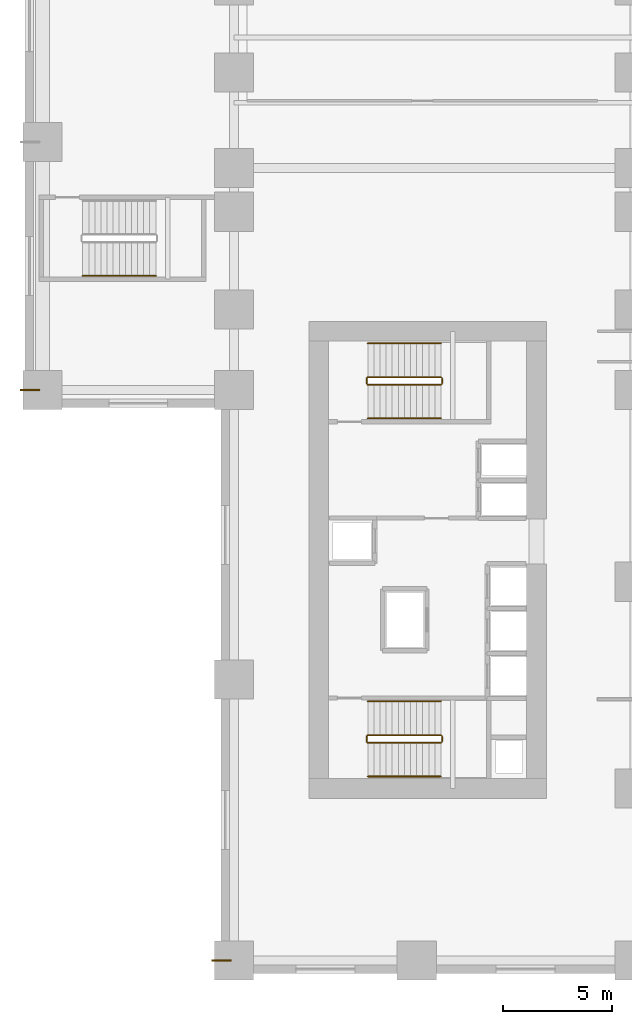
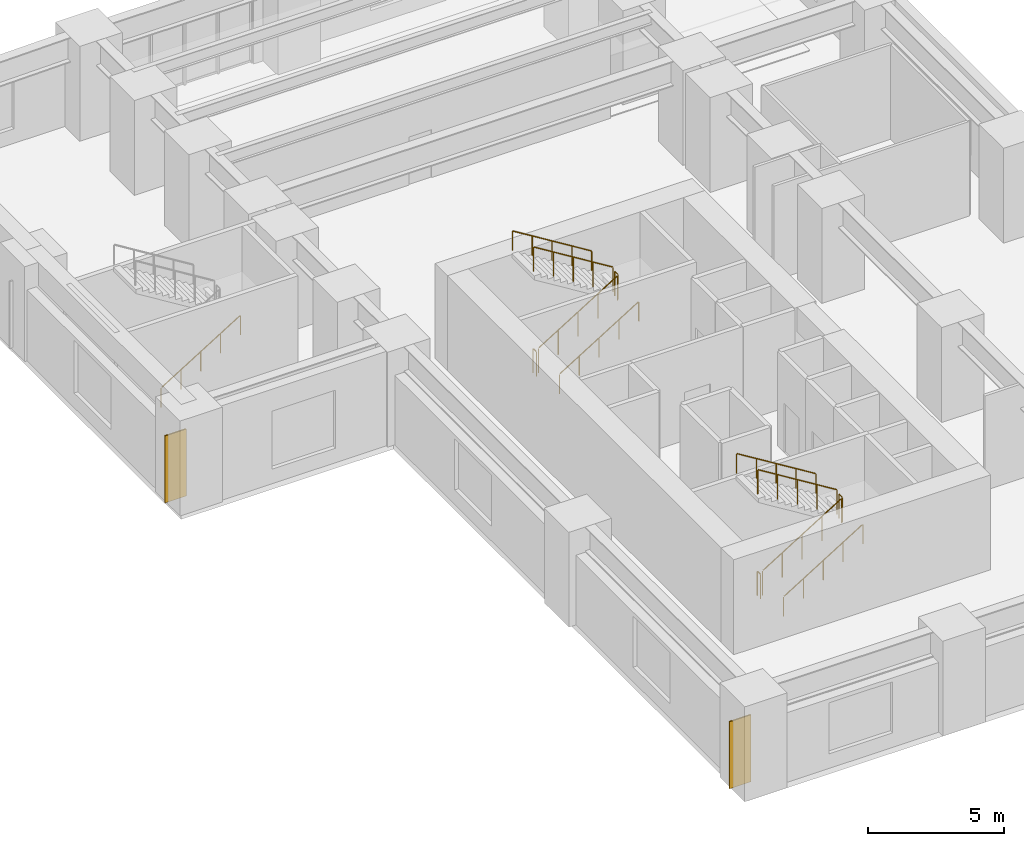
# One storey, part 9 of 11: 13 railings, 2 coverings.
"""IFC4 building model written with IfcOpenShell, lengths in metres."""

import ifcopenshell
import ifcopenshell.guid

model = None  # the IFC model being written
_history = None  # IfcOwnerHistory: only IFC2X3 demands one
_inside = {}  # id of a spatial element -> (the spatial element, [elements in it])
_under = {}  # id of a project, library or spatial element -> (it, [spatial elements below it])
_declared = {}  # id of a project -> (the project, [libraries it declares])
_typed = {}  # id of a type object -> (the type object, [elements of that type])
_made_of = {}  # id of a material, layer set ... -> (it, [elements and type objects made of it])


def new_model(schema):
    """Start an empty IFC model of exactly this schema.

    Asked for "IFC4X3", IfcOpenShell would pick the latest addendum, in which some entities
    have other attributes; the version numbers below select the first issue.
    IFC2X3 requires an IfcOwnerHistory on every rooted entity: one is made here for all.
    """
    global model, _history
    if schema == "IFC4X3":
        model = ifcopenshell.file(schema_version=(4, 3, 0, 0))
    else:
        model = ifcopenshell.file(schema=schema)
    _inside.clear()
    _under.clear()
    _declared.clear()
    _typed.clear()
    _made_of.clear()
    _history = None
    if model.schema == "IFC2X3":
        org = make("IfcOrganization", Name="unknown")
        user = make(
            "IfcPersonAndOrganization",
            ThePerson=make("IfcPerson", FamilyName="unknown"),
            TheOrganization=org,
        )
        app = make(
            "IfcApplication",
            ApplicationDeveloper=org,
            Version="unknown",
            ApplicationFullName="unknown",
            ApplicationIdentifier="unknown",
        )
        _history = make(
            "IfcOwnerHistory",
            OwningUser=user,
            OwningApplication=app,
            ChangeAction="ADDED",
            CreationDate=0,
        )
    return model


def make(cls, **values):
    """One entity of the class cls with the attributes given. An attribute that is None is left unset."""
    return model.create_entity(
        cls, **{name: value for name, value in values.items() if value is not None}
    )


def rooted(cls, **values):
    """An entity with a GlobalId (a new one), such as an element, a storey or a relation."""
    return make(cls, GlobalId=ifcopenshell.guid.new(), OwnerHistory=_history, **values)


def si_unit(unit_type, name, prefix=None):
    """IfcSIUnit, for example si_unit("LENGTHUNIT", "METRE", prefix="MILLI")."""
    return make("IfcSIUnit", UnitType=unit_type, Prefix=prefix, Name=name)


def assignment(units):
    """IfcUnitAssignment: the units of a project."""
    return None if units is None else make("IfcUnitAssignment", Units=units)


def point(xyz):
    """IfcCartesianPoint."""
    return None if xyz is None else make("IfcCartesianPoint", Coordinates=xyz)


def direction(xyz):
    """IfcDirection."""
    return None if xyz is None else make("IfcDirection", DirectionRatios=xyz)


def frame(location, z_axis=None, x_axis=None):
    """IfcAxis2Placement3D, a coordinate frame: its origin and axes. An axis left out is left unset."""
    return make(
        "IfcAxis2Placement3D",
        Location=point(location),
        Axis=direction(z_axis),
        RefDirection=direction(x_axis),
    )


def frame_2d(location, x_axis=None):
    """IfcAxis2Placement2D, a coordinate frame in the plane: its origin and x axis."""
    return make(
        "IfcAxis2Placement2D", Location=point(location), RefDirection=direction(x_axis)
    )


def origin():
    """The frame at (0, 0, 0) with its axes left unset."""
    return frame((0.0, 0.0, 0.0))


def origin_2d():
    """The frame at (0, 0) in the plane with its x axis left unset."""
    return frame_2d((0.0, 0.0))


def place(relative_to, where):
    """IfcLocalPlacement: puts the frame where relative to a parent placement (None: the world)."""
    return make(
        "IfcLocalPlacement", PlacementRelTo=relative_to, RelativePlacement=where
    )


def context(
    kind, dimensions, precision=None, world=None, true_north=None, identifier=None
):
    """IfcGeometricRepresentationContext, for example the 3D "Model" context."""
    return make(
        "IfcGeometricRepresentationContext",
        ContextIdentifier=identifier,
        ContextType=kind,
        CoordinateSpaceDimension=dimensions,
        Precision=precision,
        WorldCoordinateSystem=world,
        TrueNorth=true_north,
    )


def subcontext(parent, identifier, kind, view, scale=None):
    """IfcGeometricRepresentationSubContext, for example "Body" below "Model"."""
    return make(
        "IfcGeometricRepresentationSubContext",
        ContextIdentifier=identifier,
        ContextType=kind,
        ParentContext=parent,
        TargetScale=scale,
        TargetView=view,
    )


def project(units=None, contexts=None):
    """IfcProject with its units and contexts."""
    return rooted(
        "IfcProject",
        Name="project",
        RepresentationContexts=contexts,
        UnitsInContext=assignment(units),
    )


def spatial(cls, under=None, at=None, **own):
    """A site, building, storey or space (cls), placed at a placement, below another one or the project."""
    s = rooted(cls, ObjectPlacement=at, **own)
    if under is not None:
        _under.setdefault(under.id(), (under, []))[1].append(s)
    return s


def profile(cls, at=None, kind="AREA", **sizes):
    """A parametric profile (cls). Its sizes go by their IFC names, for example OverallWidth=200.0."""
    return make(cls, ProfileType=kind, Position=at, **sizes)


def rectangle(**sizes):
    """IfcRectangleProfileDef."""
    return profile("IfcRectangleProfileDef", **sizes)


def circle(**sizes):
    """IfcCircleProfileDef."""
    return profile("IfcCircleProfileDef", **sizes)


def extrude(swept, where, along, depth):
    """IfcExtrudedAreaSolid: the profile swept, set in the frame where, extruded along a direction by depth."""
    return make(
        "IfcExtrudedAreaSolid",
        SweptArea=swept,
        Position=where,
        ExtrudedDirection=direction(along),
        Depth=depth,
    )


def shape(context_of_items, identifier, shape_type, items):
    """IfcShapeRepresentation: the items that make up one representation, for example the "Body"."""
    return make(
        "IfcShapeRepresentation",
        ContextOfItems=context_of_items,
        RepresentationIdentifier=identifier,
        RepresentationType=shape_type,
        Items=items,
    )


def source(mapping_origin, context_of_items, identifier, shape_type, items):
    """IfcRepresentationMap: a shape defined once, which mapped items show again and again."""
    return make(
        "IfcRepresentationMap",
        MappingOrigin=mapping_origin,
        MappedRepresentation=shape(context_of_items, identifier, shape_type, items),
    )


def transform(
    local_origin,
    x_axis=None,
    y_axis=None,
    z_axis=None,
    scale=None,
    scale2=None,
    scale3=None,
    uniform=True,
):
    """IfcCartesianTransformationOperator3D, or its non-uniform kind. x_axis, y_axis, z_axis: its Axis1, 2, 3."""
    if uniform:
        return make(
            "IfcCartesianTransformationOperator3D",
            Axis1=direction(x_axis),
            Axis2=direction(y_axis),
            LocalOrigin=point(local_origin),
            Scale=scale,
            Axis3=direction(z_axis),
        )
    return make(
        "IfcCartesianTransformationOperator3DnonUniform",
        Axis1=direction(x_axis),
        Axis2=direction(y_axis),
        LocalOrigin=point(local_origin),
        Scale=scale,
        Axis3=direction(z_axis),
        Scale2=scale2,
        Scale3=scale3,
    )


def mapped(mapping_source, mapping_target):
    """IfcMappedItem: shows the shape of a source again, moved by a transform."""
    return make(
        "IfcMappedItem", MappingSource=mapping_source, MappingTarget=mapping_target
    )


def material(Name=None, Category=None):
    """IfcMaterial."""
    return make("IfcMaterial", Name=Name, Category=Category)


def layer(
    of_material, thickness, ventilated=None, Name=None, Category=None, Priority=None
):
    """IfcMaterialLayer: one layer of a wall or slab, of a material (None: an air gap)."""
    return make(
        "IfcMaterialLayer",
        Material=of_material,
        LayerThickness=thickness,
        IsVentilated=ventilated,
        Name=Name,
        Category=Category,
        Priority=Priority,
    )


def layer_set(layers, Name=None):
    """IfcMaterialLayerSet."""
    return make("IfcMaterialLayerSet", MaterialLayers=layers, LayerSetName=Name)


def made_of(thing, what):
    """Note that an element or type object is made of a material, layer set ...; save() writes the relation."""
    if what is not None:
        _made_of.setdefault(what.id(), (what, []))[1].append(thing)
    return thing


def type_object(cls, material=None, **own):
    """A type object (cls), such as IfcWallType, which elements share."""
    return made_of(rooted(cls, **own), material)


def element(
    cls,
    number,
    at=None,
    inside=None,
    cuts=None,
    type_object=None,
    material=None,
    context=None,
    identifier="Body",
    shape_type=None,
    held_by="IfcProductDefinitionShape",
    body=None,
    shapes=None,
    **own,
):
    """One element of the class cls, such as IfcWall. Its Tag is "e" and its number.

    at: its placement. inside: the storey or other place that contains it. cuts: it is an
    opening in that element (IfcRelVoidsElement). A single representation is given by context,
    identifier, shape_type and body (its items); several are given by shapes. held_by: the class
    of the entity that holds the representations. save() writes the other relations.
    """
    e = rooted(cls, Tag="e%d" % number, ObjectPlacement=at, **own)
    if body is not None:
        shapes = [shape(context, identifier, shape_type, body)]
    if shapes is not None:
        e.Representation = make(held_by, Representations=shapes)
    if inside is not None:
        _inside.setdefault(inside.id(), (inside, []))[1].append(e)
    if cuts is not None:
        rooted(
            "IfcRelVoidsElement", RelatingBuildingElement=cuts, RelatedOpeningElement=e
        )
    if type_object is not None:
        _typed.setdefault(type_object.id(), (type_object, []))[1].append(e)
    return made_of(e, material)


def aggregate(whole, parts):
    """IfcRelAggregates: a whole, such as a stair, and the parts it consists of."""
    return rooted("IfcRelAggregates", RelatingObject=whole, RelatedObjects=parts)


def save(model, path):
    """Write the relations noted so far, then the file.

    IfcRelAggregates (storeys below a building ...), IfcRelContainedInSpatialStructure (elements
    in a storey), IfcRelDefinesByType, IfcRelAssociatesMaterial and IfcRelDeclares: one each for
    every whole, place, type object, material and project.
    """
    for whole, parts in _under.values():
        aggregate(whole, parts)
    for where, things in _inside.values():
        rooted(
            "IfcRelContainedInSpatialStructure",
            RelatedElements=things,
            RelatingStructure=where,
        )
    for kind, things in _typed.values():
        rooted("IfcRelDefinesByType", RelatedObjects=things, RelatingType=kind)
    for what, things in _made_of.values():
        rooted("IfcRelAssociatesMaterial", RelatedObjects=things, RelatingMaterial=what)
    for by, libraries in _declared.values():
        rooted("IfcRelDeclares", RelatingContext=by, RelatedDefinitions=libraries)
    model.write(path)


model = new_model("IFC4")

# Units and contexts
model_context = context("Model", 3, precision=1e-05, world=origin(), true_north=direction((0.0, 1.0)))
body_context = subcontext(model_context, "Body", "Model", "MODEL_VIEW")
ifc_project = project(units=[si_unit("LENGTHUNIT", "METRE"), si_unit("AREAUNIT", "SQUARE_METRE"), si_unit("VOLUMEUNIT", "CUBIC_METRE"), si_unit("PLANEANGLEUNIT", "RADIAN"), si_unit("MASSUNIT", "GRAM", prefix="KILO")], contexts=[model_context])

# Site, building, storey
site_placement = place(None, origin())
site = spatial("IfcSite", under=ifc_project, at=site_placement, CompositionType="ELEMENT")
building_placement = place(site_placement, origin())
building = spatial("IfcBuilding", under=site, at=building_placement, Name="Kharzan Plaza Tower", CompositionType="ELEMENT")
storey_placement = place(building_placement, frame((0.0, 0.0, 9.0)))
storey = spatial("IfcBuildingStorey", under=building, at=storey_placement, Name="L02", CompositionType="ELEMENT", Elevation=9.0)

# Railings
ifc_material_1 = material(Name="Painted Galvanized Architectural Steel", Category="steel")
ifc_layer_1 = layer(ifc_material_1, 0.074951171875)
ifc_layer_set_1 = layer_set([ifc_layer_1], Name="Painted Galvanized Architectural Steel")
railing_type_1 = type_object("IfcRailingType", Name="RL-GUARD-1120", PredefinedType="BALUSTRADE", material=ifc_layer_set_1)
shared_shape_1 = source(origin(), body_context, "Body", "SweptSolid", [
    extrude(circle(Radius=0.02392578125, at=origin_2d()), frame((0.0224609375, 0.0, 1.10986328125), z_axis=(0.850623216509, 0.0, 0.525775754039), x_axis=(0.0, 1.0, 0.0)), (0.0, 0.0, 1.0), 3.897216796875),
    extrude(circle(Radius=0.02099609375, at=origin_2d()), origin(), (0.0, 0.0, 1.0), 1.072021484375),
    extrude(circle(Radius=0.02099609375, at=origin_2d()), frame((0.840087890625, 0.0, 0.519287109375)), (0.0, 0.0, 1.0), 1.072021484375),
    extrude(circle(Radius=0.02099609375, at=origin_2d()), frame((1.68017578125, 0.0, 1.03857421875)), (0.0, 0.0, 1.0), 1.072021484375),
    extrude(circle(Radius=0.02099609375, at=origin_2d()), frame((2.52001953125, 0.0, 1.5576171875)), (0.0, 0.0, 1.0), 1.072021484375),
    extrude(circle(Radius=0.02099609375, at=origin_2d()), frame((3.360107421875, 0.0, 2.076904296875)), (0.0, 0.0, 1.0), 1.072021484375),
])
for number, where, name in (
    (1, (6.75, 10.60009765625, 0.173095703125), "L02 ST-1 stair guard 1"),
    (2, (6.75, 27.050048828125, 0.173095703125), "L02 ST-2 stair guard 1"),
):
    element("IfcRailing", number, at=place(storey_placement, frame(where)), inside=storey, type_object=railing_type_1, Name=name, PredefinedType="BALUSTRADE", context=body_context, shape_type="MappedRepresentation", body=[
        mapped(shared_shape_1, transform((0.0, 0.0, 0.0), x_axis=(1.0, 0.0, 0.0), y_axis=(0.0, 1.0, 0.0), z_axis=(0.0, 0.0, 1.0))),
    ])
shared_shape_2 = source(origin(), body_context, "Body", "SweptSolid", [
    extrude(circle(Radius=0.02392578125, at=origin_2d()), frame((0.0, 0.0263671875, 1.09619140625), z_axis=(0.0, 1.0, 0.0), x_axis=(-1.0, 0.0, 0.0)), (0.0, 0.0, 1.0), 0.197021484375),
    extrude(circle(Radius=0.02099609375, at=origin_2d()), origin(), (0.0, 0.0, 1.0), 1.072021484375),
    extrude(circle(Radius=0.02099609375, at=origin_2d()), frame((0.0, 0.25, 0.0)), (0.0, 0.0, 1.0), 1.072021484375),
])
for number, where, name in (
    (3, (10.159912109375, 10.64990234375, 2.25), "L02 ST-1 stair guard 2"),
    (4, (6.699951171875, 10.64990234375, 0.0), "L02 ST-1 stair guard 4"),
    (5, (10.159912109375, 27.10009765625, 2.25), "L02 ST-2 stair guard 2"),
    (6, (6.699951171875, 27.10009765625, 0.0), "L02 ST-2 stair guard 4"),
):
    element("IfcRailing", number, at=place(storey_placement, frame(where)), inside=storey, type_object=railing_type_1, Name=name, PredefinedType="BALUSTRADE", context=body_context, shape_type="MappedRepresentation", body=[
        mapped(shared_shape_2, transform((0.0, 0.0, 0.0), x_axis=(1.0, 0.0, 0.0), y_axis=(0.0, 1.0, 0.0), z_axis=(0.0, 0.0, 1.0))),
    ])
shared_shape_3 = source(origin(), body_context, "Body", "SweptSolid", [
    extrude(circle(Radius=0.02392578125, at=origin_2d()), frame((-0.0224609375, 0.0, 1.10986328125), z_axis=(-0.850623216509, 0.0, 0.525775754039), x_axis=(0.0, -1.0, 0.0)), (0.0, 0.0, 1.0), 3.897216796875),
    extrude(circle(Radius=0.02099609375, at=origin_2d()), origin(), (0.0, 0.0, 1.0), 1.072021484375),
    extrude(circle(Radius=0.02099609375, at=origin_2d()), frame((-0.840087890625, 0.0, 0.519287109375)), (0.0, 0.0, 1.0), 1.072021484375),
    extrude(circle(Radius=0.02099609375, at=origin_2d()), frame((-1.68017578125, 0.0, 1.03857421875)), (0.0, 0.0, 1.0), 1.072021484375),
    extrude(circle(Radius=0.02099609375, at=origin_2d()), frame((-2.52001953125, 0.0, 1.5576171875)), (0.0, 0.0, 1.0), 1.072021484375),
    extrude(circle(Radius=0.02099609375, at=origin_2d()), frame((-3.360107421875, 0.0, 2.076904296875)), (0.0, 0.0, 1.0), 1.072021484375),
])
for number, where, name in (
    (7, (10.110107421875, 10.949951171875, 2.423095703125), "L02 ST-1 stair guard 3"),
    (8, (10.110107421875, 27.39990234375, 2.423095703125), "L02 ST-2 stair guard 3"),
):
    element("IfcRailing", number, at=place(storey_placement, frame(where)), inside=storey, type_object=railing_type_1, Name=name, PredefinedType="BALUSTRADE", context=body_context, shape_type="MappedRepresentation", body=[
        mapped(shared_shape_3, transform((0.0, 0.0, 0.0), x_axis=(1.0, 0.0, 0.0), y_axis=(0.0, 1.0, 0.0), z_axis=(0.0, 0.0, 1.0))),
    ])
ifc_material_2 = material(Name="Brushed Stainless Steel", Category="steel")
ifc_layer_2 = layer(ifc_material_2, 0.050048828125)
ifc_layer_set_2 = layer_set([ifc_layer_2], Name="Brushed Stainless Steel")
railing_type_2 = type_object("IfcRailingType", Name="RL-STAIR-HR920", PredefinedType="HANDRAIL", material=ifc_layer_set_2)
shared_shape_4 = source(origin(), body_context, "Body", "SweptSolid", [
    extrude(circle(Radius=0.02392578125, at=origin_2d()), frame((0.0224609375, 0.0, 0.8896484375), z_axis=(0.850623216509, 0.0, 0.525775754039), x_axis=(0.0, 1.0, 0.0)), (0.0, 0.0, 1.0), 3.897216796875),
    extrude(circle(Radius=0.02099609375, at=origin_2d()), origin(), (0.0, 0.0, 1.0), 0.851806640625),
    extrude(circle(Radius=0.02099609375, at=origin_2d()), frame((0.840087890625, 0.0, 0.519287109375)), (0.0, 0.0, 1.0), 0.851806640625),
    extrude(circle(Radius=0.02099609375, at=origin_2d()), frame((1.68017578125, 0.0, 1.03857421875)), (0.0, 0.0, 1.0), 0.851806640625),
    extrude(circle(Radius=0.02099609375, at=origin_2d()), frame((2.52001953125, 0.0, 1.5576171875)), (0.0, 0.0, 1.0), 0.851806640625),
    extrude(circle(Radius=0.02099609375, at=origin_2d()), frame((3.360107421875, 0.0, 2.076904296875)), (0.0, 0.0, 1.0), 0.851806640625),
])
for number, where, name in (
    (9, (6.75, 9.050048828125, 0.173095703125), "L02 ST-1 stair handrail 1"),
    (10, (6.75, 25.5, 0.173095703125), "L02 ST-2 stair handrail 1"),
    (11, (-6.35009765625, 32.050048828125, 0.173095703125), "L02 ST-4 stair handrail 1"),
):
    element("IfcRailing", number, at=place(storey_placement, frame(where)), inside=storey, type_object=railing_type_2, Name=name, PredefinedType="HANDRAIL", context=body_context, shape_type="MappedRepresentation", body=[
        mapped(shared_shape_4, transform((0.0, 0.0, 0.0), x_axis=(1.0, 0.0, 0.0), y_axis=(0.0, 1.0, 0.0), z_axis=(0.0, 0.0, 1.0))),
    ])
shared_shape_5 = source(origin(), body_context, "Body", "SweptSolid", [
    extrude(circle(Radius=0.02392578125, at=origin_2d()), frame((-0.0224609375, 0.0, 0.8896484375), z_axis=(-0.850623216509, 0.0, 0.525775754039), x_axis=(0.0, -1.0, 0.0)), (0.0, 0.0, 1.0), 3.897216796875),
    extrude(circle(Radius=0.02099609375, at=origin_2d()), origin(), (0.0, 0.0, 1.0), 0.851806640625),
    extrude(circle(Radius=0.02099609375, at=origin_2d()), frame((-0.840087890625, 0.0, 0.519287109375)), (0.0, 0.0, 1.0), 0.851806640625),
    extrude(circle(Radius=0.02099609375, at=origin_2d()), frame((-1.68017578125, 0.0, 1.03857421875)), (0.0, 0.0, 1.0), 0.851806640625),
    extrude(circle(Radius=0.02099609375, at=origin_2d()), frame((-2.52001953125, 0.0, 1.5576171875)), (0.0, 0.0, 1.0), 0.851806640625),
    extrude(circle(Radius=0.02099609375, at=origin_2d()), frame((-3.360107421875, 0.0, 2.076904296875)), (0.0, 0.0, 1.0), 0.851806640625),
])
for number, where, name in (
    (12, (10.110107421875, 12.5, 2.423095703125), "L02 ST-1 stair handrail 2"),
    (13, (10.110107421875, 28.949951171875, 2.423095703125), "L02 ST-2 stair handrail 2"),
):
    element("IfcRailing", number, at=place(storey_placement, frame(where)), inside=storey, type_object=railing_type_2, Name=name, PredefinedType="HANDRAIL", context=body_context, shape_type="MappedRepresentation", body=[
        mapped(shared_shape_5, transform((0.0, 0.0, 0.0), x_axis=(1.0, 0.0, 0.0), y_axis=(0.0, 1.0, 0.0), z_axis=(0.0, 0.0, 1.0))),
    ])

# Coverings
ifc_material_3 = material(Name="Honed Riyadh Limestone", Category="masonry")
ifc_layer_3 = layer(ifc_material_3, 0.06005859375)
ifc_layer_set_3 = layer_set([ifc_layer_3], Name="Honed Riyadh Limestone")
covering_type = type_object("IfcCoveringType", Name="COV-CLAD-STONE", PredefinedType="CLADDING", material=ifc_layer_set_3)
shared_shape_6 = source(origin(), body_context, "Body", "SweptSolid", [
    extrude(rectangle(XDim=0.06005859375, YDim=0.89990234375, at=origin_2d()), origin(), (0.0, 0.0, 1.0), 3.0),
])
for number, where, z_axis, x_axis, name in (
    (14, (-8.780029296875, 26.800048828125, 0.10009765625), (0.0, 0.0, 1.0), (0.0, 1.0, 0.0), "L02 Limestone Pier Rainscreen Cladding MC01"),
    (15, (0.02001953125, 0.60009765625, 0.10009765625), (0.0, 0.0, 1.0), (0.0, 1.0, 0.0), "L02 Limestone Pier Rainscreen Cladding MC04"),
):
    element("IfcCovering", number, at=place(storey_placement, frame(where, z_axis=z_axis, x_axis=x_axis)), inside=storey, type_object=covering_type, Name=name, PredefinedType="CLADDING", context=body_context, shape_type="MappedRepresentation", body=[
        mapped(shared_shape_6, transform((0.0, 0.0, 0.0), x_axis=(1.0, 0.0, 0.0), y_axis=(0.0, 1.0, 0.0), z_axis=(0.0, 0.0, 1.0))),
    ])

save(model, "model.ifc")
